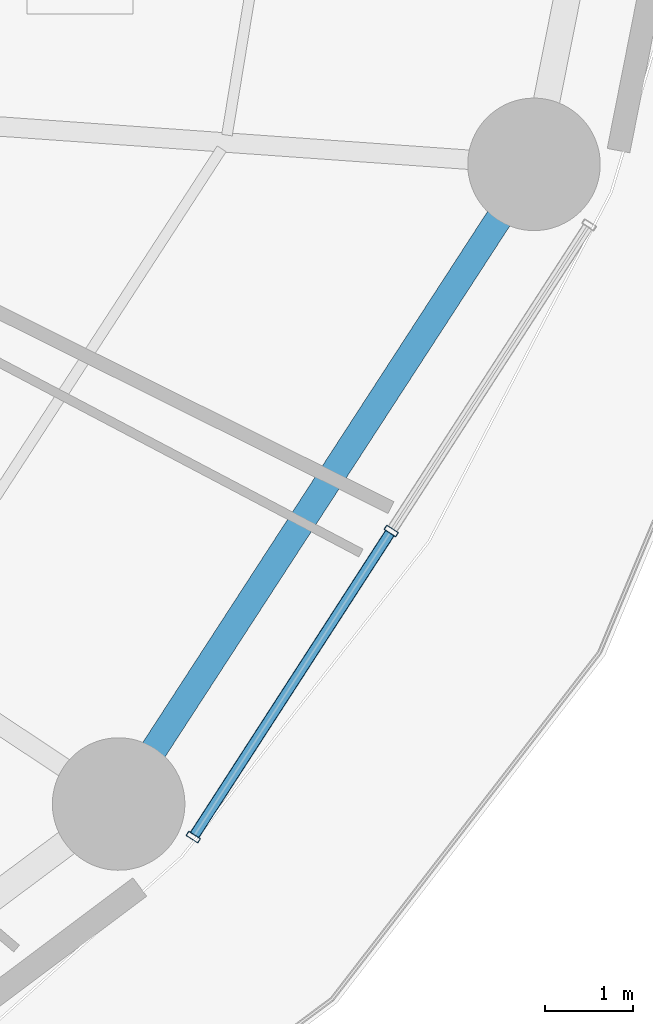
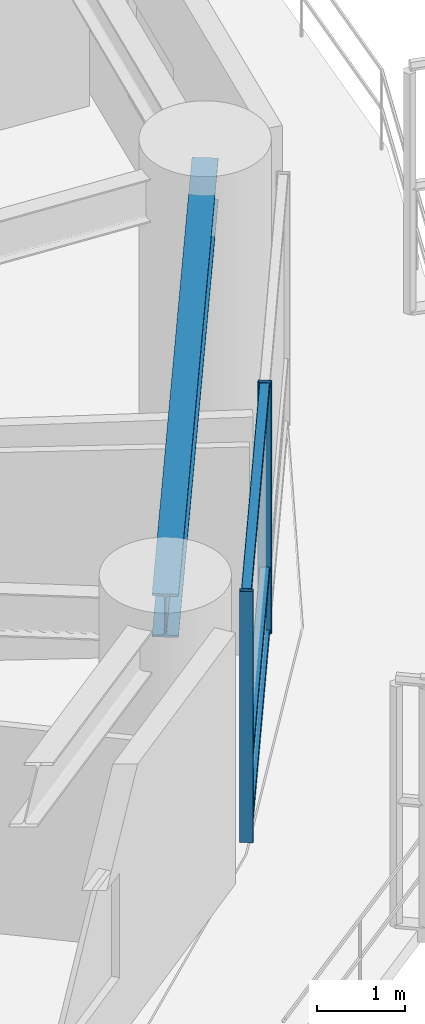
# One storey, part 10 of 32: 5 members, 1 beam, 1 element without a shape of its own.
"""IFC4 building model written with IfcOpenShell, lengths in metres."""

from ifc_helpers import new_model, si_unit, direction, frame, origin, origin_2d, place, context, subcontext, project, spatial, hollow_rectangle, i_section, extrude, material, layer, layer_set, material_profile, profile_set, type_object, element, aggregate, save


model = new_model("IFC4")

# Units and contexts
model_context = context("Model", 3, precision=1e-05, world=origin(), true_north=direction((0.0, 1.0)))
body_context = subcontext(model_context, "Body", "Model", "MODEL_VIEW")
ifc_project = project(units=[si_unit("LENGTHUNIT", "METRE"), si_unit("AREAUNIT", "SQUARE_METRE"), si_unit("VOLUMEUNIT", "CUBIC_METRE"), si_unit("PLANEANGLEUNIT", "RADIAN"), si_unit("MASSUNIT", "GRAM", prefix="KILO")], contexts=[model_context])

# Site, building, storey
site_placement = place(None, origin())
site = spatial("IfcSite", under=ifc_project, at=site_placement, CompositionType="ELEMENT")
building_placement = place(site_placement, origin())
building = spatial("IfcBuilding", under=site, at=building_placement, Name="Kelanora Arch Commons", CompositionType="ELEMENT")
storey_placement = place(building_placement, frame((0.0, 0.0, 60.0)))
storey = spatial("IfcBuildingStorey", under=building, at=storey_placement, Name="L15", CompositionType="ELEMENT", Elevation=60.0)

# Beam
ifc_material_1 = material(Name="Steel S355", Category="steel")
ifc_material_profile_1 = material_profile(ifc_material_1, i_section(OverallWidth=0.300048828125, OverallDepth=0.60009765625, WebThickness=0.015380859375, FlangeThickness=0.030029296875, FilletRadius=0.027099609375, at=origin_2d()), Name="HEB600")
ifc_profile_set_1 = profile_set([ifc_material_profile_1], Name="Steel S355")
beam_type = type_object("IfcBeamType", Name="BM-SPN-Z1", PredefinedType="SPANDREL", material=ifc_profile_set_1)
beam_placement = place(storey_placement, frame((94.744384765625, 42.521728515625, 3.18994140625), z_axis=(0.544585813928, 0.838705127722, 0.0), x_axis=(-0.838705127722, 0.544585813928, 0.0)))
element("IfcBeam", 1, at=beam_placement, inside=storey, type_object=beam_type, Name="Perimeter Spandrel Beam BS-32 L15", PredefinedType="SPANDREL", context=body_context, shape_type="SweptSolid", body=[
    extrude(i_section(OverallWidth=0.300048828125, OverallDepth=0.60009765625, WebThickness=0.015380859375, FlangeThickness=0.030029296875, FilletRadius=0.027099609375, at=origin_2d()), origin(), (0.0, 0.0, 1.0), 8.63525390625),
])

# Curtain wall, members
ifc_material_2 = material(Name="Terracotta ceramic-fritted low-E glass and aluminium", Category="masonry")
ifc_layer = layer(ifc_material_2, 0.159912109375)
ifc_layer_set = layer_set([ifc_layer], Name="Terracotta ceramic-fritted low-E glass and aluminium")
curtain_wall_type = type_object("IfcCurtainWallType", Name="CW-SYS-01", PredefinedType="NOTDEFINED", material=ifc_layer_set)
curtain_wall_placement = place(storey_placement, origin())
curtain_wall = element("IfcCurtainWall", 2, at=curtain_wall_placement, inside=storey, type_object=curtain_wall_type, Name="Unitised Curtain Wall L15-B16", PredefinedType="NOTDEFINED")
ifc_material_3 = material(Name="Powder-coated aluminium terracotta", Category="masonry")
ifc_material_profile_2 = material_profile(ifc_material_3, hollow_rectangle(XDim=0.159912109375, YDim=0.06005859375, WallThickness=0.0048828125, InnerFilletRadius=0.0048828125, OuterFilletRadius=0.010009765625, at=origin_2d()), Name="CWM160x60")
ifc_profile_set_2 = profile_set([ifc_material_profile_2], Name="Powder-coated aluminium terracotta")
member_type_1 = type_object("IfcMemberType", Name="CWM-STD", PredefinedType="MULLION", material=ifc_profile_set_2)
member_1_placement = place(storey_placement, frame((95.58935546875, 42.14697265625, 0.0), z_axis=(0.0, 0.0, 1.0), x_axis=(-0.83972982332, 0.543004441812, 0.0)))
member_1 = element("IfcMember", 3, at=member_1_placement, type_object=member_type_1, Name="CW-01 mullion 1", PredefinedType="MULLION", context=body_context, shape_type="SweptSolid", body=[
    extrude(hollow_rectangle(XDim=0.159912109375, YDim=0.06005859375, WallThickness=0.0048828125, InnerFilletRadius=0.0048828125, OuterFilletRadius=0.010009765625, at=origin_2d()), origin(), (0.0, 0.0, 1.0), 3.47509765625),
])
member_2_placement = place(storey_placement, frame((97.830810546875, 45.61328125, 0.0), z_axis=(0.0, 0.0, 1.0), x_axis=(-0.83972982332, 0.543004441812, 0.0)))
member_2 = element("IfcMember", 4, at=member_2_placement, type_object=member_type_1, Name="CW-01 mullion 2", PredefinedType="MULLION", context=body_context, shape_type="SweptSolid", body=[
    extrude(hollow_rectangle(XDim=0.159912109375, YDim=0.06005859375, WallThickness=0.0048828125, InnerFilletRadius=0.0048828125, OuterFilletRadius=0.010009765625, at=origin_2d()), origin(), (0.0, 0.0, 1.0), 3.47509765625),
])
ifc_material_profile_3 = material_profile(ifc_material_3, hollow_rectangle(XDim=0.1201171875, YDim=0.06005859375, WallThickness=0.0048828125, InnerFilletRadius=0.0048828125, OuterFilletRadius=0.010009765625, at=origin_2d()), Name="CWT120x60")
ifc_profile_set_3 = profile_set([ifc_material_profile_3], Name="Powder-coated aluminium terracotta")
member_type_2 = type_object("IfcMemberType", Name="CWT-STD", PredefinedType="USERDEFINED", material=ifc_profile_set_3)
member_3_placement = place(storey_placement, frame((95.605712890625, 42.17236328125, 0.030029296875), z_axis=(0.542997414293, 0.839734367566, 0.0), x_axis=(-0.839734367566, 0.542997414293, 0.0)))
member_3 = element("IfcMember", 5, at=member_3_placement, type_object=member_type_2, Name="CW-01 transom 1.1", ObjectType="TRANSOM", PredefinedType="USERDEFINED", context=body_context, shape_type="SweptSolid", body=[
    extrude(hollow_rectangle(XDim=0.1201171875, YDim=0.06005859375, WallThickness=0.0048828125, InnerFilletRadius=0.0048828125, OuterFilletRadius=0.010009765625, at=origin_2d()), origin(), (0.0, 0.0, 1.0), 4.067626953125),
])
member_4_placement = place(storey_placement, frame((95.605712890625, 42.17236328125, 0.89990234375), z_axis=(0.542997414293, 0.839734367566, 0.0), x_axis=(-0.839734367566, 0.542997414293, 0.0)))
member_4 = element("IfcMember", 6, at=member_4_placement, type_object=member_type_2, Name="CW-01 transom 1.2", ObjectType="TRANSOM", PredefinedType="USERDEFINED", context=body_context, shape_type="SweptSolid", body=[
    extrude(hollow_rectangle(XDim=0.1201171875, YDim=0.06005859375, WallThickness=0.0048828125, InnerFilletRadius=0.0048828125, OuterFilletRadius=0.010009765625, at=origin_2d()), origin(), (0.0, 0.0, 1.0), 4.067626953125),
])
member_5_placement = place(storey_placement, frame((95.605712890625, 42.17236328125, 3.445068359375), z_axis=(0.542997414293, 0.839734367566, 0.0), x_axis=(-0.839734367566, 0.542997414293, 0.0)))
member_5 = element("IfcMember", 7, at=member_5_placement, type_object=member_type_2, Name="CW-01 transom 1.3", ObjectType="TRANSOM", PredefinedType="USERDEFINED", context=body_context, shape_type="SweptSolid", body=[
    extrude(hollow_rectangle(XDim=0.1201171875, YDim=0.06005859375, WallThickness=0.0048828125, InnerFilletRadius=0.0048828125, OuterFilletRadius=0.010009765625, at=origin_2d()), origin(), (0.0, 0.0, 1.0), 4.067626953125),
])
aggregate(curtain_wall, [member_1, member_2, member_3, member_4, member_5])

save(model, "model.ifc")
